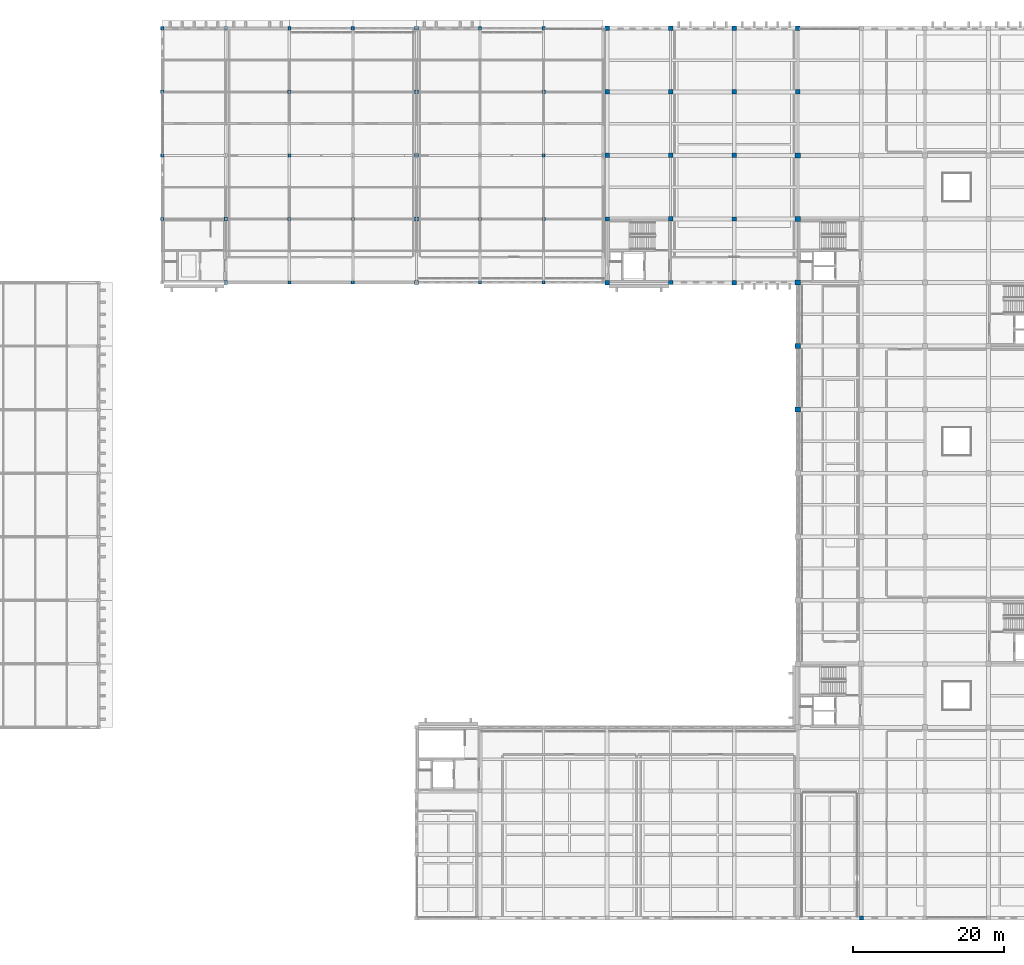
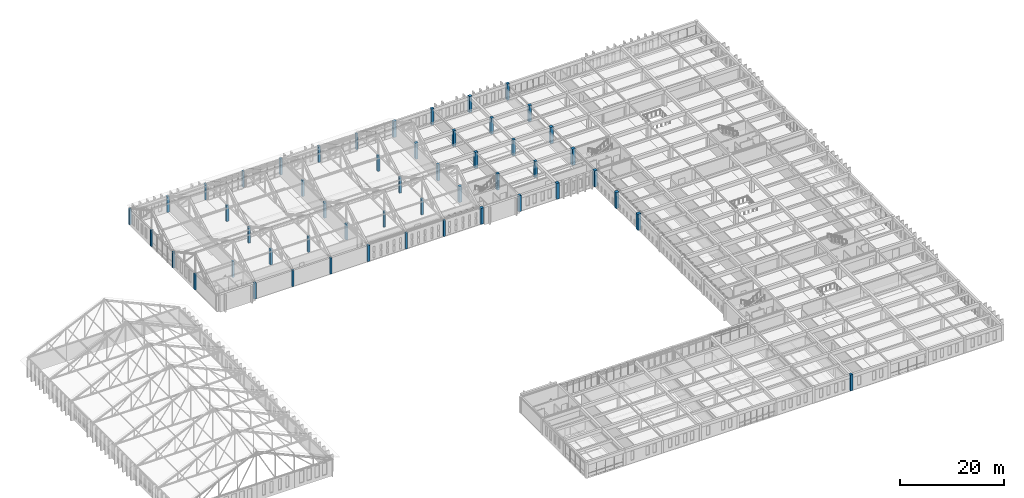
# One storey, part 4 of 110: 51 columns.
"""IFC4 building model written with IfcOpenShell, lengths in metres."""

from ifc_helpers import new_model, si_unit, direction, frame, origin, origin_2d, place, context, subcontext, project, spatial, rectangle, extrude, material, material_profile, profile_set, type_object, element, save


model = new_model("IFC4")

# Units and contexts
model_context = context("Model", 3, precision=1e-05, world=origin(), true_north=direction((0.0, 1.0)))
body_context = subcontext(model_context, "Body", "Model", "MODEL_VIEW")
ifc_project = project(units=[si_unit("LENGTHUNIT", "METRE"), si_unit("AREAUNIT", "SQUARE_METRE"), si_unit("VOLUMEUNIT", "CUBIC_METRE"), si_unit("PLANEANGLEUNIT", "RADIAN"), si_unit("MASSUNIT", "GRAM", prefix="KILO")], contexts=[model_context])

# Site, building, storey
site_placement = place(None, origin())
site = spatial("IfcSite", under=ifc_project, at=site_placement, CompositionType="ELEMENT")
building_placement = place(site_placement, origin())
building = spatial("IfcBuilding", under=site, at=building_placement, Name="Kveldsbrygga Polytechnic", CompositionType="ELEMENT")
storey_placement = place(building_placement, frame((0.0, 0.0, 9.860107421875)))
storey = spatial("IfcBuildingStorey", under=building, at=storey_placement, Name="L02", CompositionType="ELEMENT", Elevation=9.860107421875)

# Columns
ifc_material = material(Name="Concrete C45/55", Category="concrete")
ifc_material_profile_1 = material_profile(ifc_material, rectangle(XDim=0.39990234375, YDim=0.39990234375, at=origin_2d()), Name="RC 400x400")
ifc_profile_set_1 = profile_set([ifc_material_profile_1], Name="Concrete C45/55")
column_type_1 = type_object("IfcColumnType", Name="COL-RC-400", PredefinedType="COLUMN", material=ifc_profile_set_1)
for number, where, z_axis, x_axis, name in (
    (1, (67.199951171875, 92.39990234375, 0.0), (0.0, 0.0, 1.0), (1.0, 0.0, 0.0), "Column COL-L02-08-11"),
    (2, (84.0, 92.39990234375, 0.0), (0.0, 0.0, 1.0), (1.0, 0.0, 0.0), "Column COL-L02-10-11"),
):
    element("IfcColumn", number, at=place(storey_placement, frame(where, z_axis=z_axis, x_axis=x_axis)), inside=storey, type_object=column_type_1, Name=name, PredefinedType="COLUMN", context=body_context, shape_type="SweptSolid", body=[
        extrude(rectangle(XDim=0.39990234375, YDim=0.39990234375, at=origin_2d()), origin(), (0.0, 0.0, 1.0), 3.77978515625),
    ])
ifc_material_profile_2 = material_profile(ifc_material, rectangle(XDim=0.419921875, YDim=0.419921875, at=origin_2d()), Name="RC 420x420")
ifc_profile_set_2 = profile_set([ifc_material_profile_2], Name="Concrete C45/55")
column_type_2 = type_object("IfcColumnType", Name="COL-RC-420", PredefinedType="COLUMN", material=ifc_profile_set_2)
for number, where, z_axis, x_axis, name in (
    (3, (42.0, 100.800048828125, 0.0), (0.0, 0.0, 1.0), (1.0, 0.0, 0.0), "Column COL-L02-05-12"),
    (4, (42.0, 117.60009765625, 0.0), (0.0, 0.0, 1.0), (1.0, 0.0, 0.0), "Column COL-L02-05-14"),
    (5, (58.800048828125, 84.0, 0.0), (0.0, 0.0, 1.0), (1.0, 0.0, 0.0), "Column COL-L02-07-10"),
    (6, (58.800048828125, 100.800048828125, 0.0), (0.0, 0.0, 1.0), (1.0, 0.0, 0.0), "Column COL-L02-07-12"),
    (7, (58.800048828125, 117.60009765625, 0.0), (0.0, 0.0, 1.0), (1.0, 0.0, 0.0), "Column COL-L02-07-14"),
    (8, (92.39990234375, 84.0, 0.0), (0.0, 0.0, 1.0), (1.0, 0.0, 0.0), "Column COL-L02-11-10"),
    (9, (92.39990234375, 100.800048828125, 0.0), (0.0, 0.0, 1.0), (1.0, 0.0, 0.0), "Column COL-L02-11-12"),
    (10, (92.39990234375, 117.60009765625, 0.0), (0.0, 0.0, 1.0), (1.0, 0.0, 0.0), "Column COL-L02-11-14"),
):
    element("IfcColumn", number, at=place(storey_placement, frame(where, z_axis=z_axis, x_axis=x_axis)), inside=storey, type_object=column_type_2, Name=name, PredefinedType="COLUMN", context=body_context, shape_type="SweptSolid", body=[
        extrude(rectangle(XDim=0.419921875, YDim=0.419921875, at=origin_2d()), origin(), (0.0, 0.0, 1.0), 3.77978515625),
    ])
ifc_material_profile_3 = material_profile(ifc_material, rectangle(XDim=0.449951171875, YDim=0.449951171875, at=origin_2d()), Name="RC 450x450")
ifc_profile_set_3 = profile_set([ifc_material_profile_3], Name="Concrete C45/55")
column_type_3 = type_object("IfcColumnType", Name="COL-RC-450", PredefinedType="COLUMN", material=ifc_profile_set_3)
for number, where, z_axis, x_axis, name in (
    (11, (42.0, 92.39990234375, 0.0), (0.0, 0.0, 1.0), (1.0, 0.0, 0.0), "Column COL-L02-05-11"),
    (12, (42.0, 109.199951171875, 0.0), (0.0, 0.0, 1.0), (1.0, 0.0, 0.0), "Column COL-L02-05-13"),
    (13, (58.800048828125, 92.39990234375, 0.0), (0.0, 0.0, 1.0), (1.0, 0.0, 0.0), "Column COL-L02-07-11"),
    (14, (58.800048828125, 109.199951171875, 0.0), (0.0, 0.0, 1.0), (1.0, 0.0, 0.0), "Column COL-L02-07-13"),
    (15, (67.199951171875, 84.0, 0.0), (0.0, 0.0, 1.0), (1.0, 0.0, 0.0), "Column COL-L02-08-10"),
    (16, (67.199951171875, 117.60009765625, 0.0), (0.0, 0.0, 1.0), (1.0, 0.0, 0.0), "Column COL-L02-08-14"),
    (17, (84.0, 84.0, 0.0), (0.0, 0.0, 1.0), (1.0, 0.0, 0.0), "Column COL-L02-10-10"),
    (18, (84.0, 117.60009765625, 0.0), (0.0, 0.0, 1.0), (1.0, 0.0, 0.0), "Column COL-L02-10-14"),
    (19, (92.39990234375, 92.39990234375, 0.0), (0.0, 0.0, 1.0), (1.0, 0.0, 0.0), "Column COL-L02-11-11"),
    (20, (92.39990234375, 109.199951171875, 0.0), (0.0, 0.0, 1.0), (1.0, 0.0, 0.0), "Column COL-L02-11-13"),
):
    element("IfcColumn", number, at=place(storey_placement, frame(where, z_axis=z_axis, x_axis=x_axis)), inside=storey, type_object=column_type_3, Name=name, PredefinedType="COLUMN", context=body_context, shape_type="SweptSolid", body=[
        extrude(rectangle(XDim=0.449951171875, YDim=0.449951171875, at=origin_2d()), origin(), (0.0, 0.0, 1.0), 3.77978515625),
    ])
ifc_material_profile_4 = material_profile(ifc_material, rectangle(XDim=0.47998046875, YDim=0.47998046875, at=origin_2d()), Name="RC 480x480")
ifc_profile_set_4 = profile_set([ifc_material_profile_4], Name="Concrete C45/55")
column_type_4 = type_object("IfcColumnType", Name="COL-RC-480", PredefinedType="COLUMN", material=ifc_profile_set_4)
for number, where, z_axis, x_axis, name in (
    (21, (50.39990234375, 84.0, 0.0), (0.0, 0.0, 1.0), (1.0, 0.0, 0.0), "Column COL-L02-06-10"),
    (22, (50.39990234375, 92.39990234375, 0.0), (0.0, 0.0, 1.0), (1.0, 0.0, 0.0), "Column COL-L02-06-11"),
    (23, (50.39990234375, 117.60009765625, 0.0), (0.0, 0.0, 1.0), (1.0, 0.0, 0.0), "Column COL-L02-06-14"),
    (24, (75.60009765625, 84.0, 0.0), (0.0, 0.0, 1.0), (1.0, 0.0, 0.0), "Column COL-L02-09-10"),
    (25, (75.60009765625, 92.39990234375, 0.0), (0.0, 0.0, 1.0), (1.0, 0.0, 0.0), "Column COL-L02-09-11"),
    (26, (75.60009765625, 100.800048828125, 0.0), (0.0, 0.0, 1.0), (1.0, 0.0, 0.0), "Column COL-L02-09-12"),
    (27, (75.60009765625, 109.199951171875, 0.0), (0.0, 0.0, 1.0), (1.0, 0.0, 0.0), "Column COL-L02-09-13"),
    (28, (75.60009765625, 117.60009765625, 0.0), (0.0, 0.0, 1.0), (1.0, 0.0, 0.0), "Column COL-L02-09-14"),
):
    element("IfcColumn", number, at=place(storey_placement, frame(where, z_axis=z_axis, x_axis=x_axis)), inside=storey, type_object=column_type_4, Name=name, PredefinedType="COLUMN", context=body_context, shape_type="SweptSolid", body=[
        extrude(rectangle(XDim=0.47998046875, YDim=0.47998046875, at=origin_2d()), origin(), (0.0, 0.0, 1.0), 3.77978515625),
    ])
ifc_material_profile_5 = material_profile(ifc_material, rectangle(XDim=0.550048828125, YDim=0.550048828125, at=origin_2d()), Name="RC 550x550")
ifc_profile_set_5 = profile_set([ifc_material_profile_5], Name="Concrete C45/55")
column_type_5 = type_object("IfcColumnType", Name="COL-RC-550", PredefinedType="COLUMN", material=ifc_profile_set_5)
column_placement = place(storey_placement, frame((134.39990234375, 0.0, 0.0), z_axis=(0.0, 0.0, 1.0), x_axis=(1.0, 0.0, 0.0)))
element("IfcColumn", 29, at=column_placement, inside=storey, type_object=column_type_5, Name="Column COL-L02-16-00", PredefinedType="COLUMN", context=body_context, shape_type="SweptSolid", body=[
    extrude(rectangle(XDim=0.550048828125, YDim=0.550048828125, at=origin_2d()), origin(), (0.0, 0.0, 1.0), 3.77978515625),
])
ifc_material_profile_6 = material_profile(ifc_material, rectangle(XDim=0.580078125, YDim=0.580078125, at=origin_2d()), Name="RC 580x580")
ifc_profile_set_6 = profile_set([ifc_material_profile_6], Name="Concrete C45/55")
column_type_6 = type_object("IfcColumnType", Name="COL-RC-580", PredefinedType="COLUMN", material=ifc_profile_set_6)
for number, where, z_axis, x_axis, name in (
    (30, (100.800048828125, 92.39990234375, 0.0), (0.0, 0.0, 1.0), (1.0, 0.0, 0.0), "Column COL-L02-12-11"),
    (31, (100.800048828125, 109.199951171875, 0.0), (0.0, 0.0, 1.0), (1.0, 0.0, 0.0), "Column COL-L02-12-13"),
    (32, (109.199951171875, 84.0, 0.0), (0.0, 0.0, 1.0), (1.0, 0.0, 0.0), "Column COL-L02-13-10"),
    (33, (109.199951171875, 100.800048828125, 0.0), (0.0, 0.0, 1.0), (1.0, 0.0, 0.0), "Column COL-L02-13-12"),
    (34, (109.199951171875, 117.60009765625, 0.0), (0.0, 0.0, 1.0), (1.0, 0.0, 0.0), "Column COL-L02-13-14"),
    (35, (117.60009765625, 92.39990234375, 0.0), (0.0, 0.0, 1.0), (1.0, 0.0, 0.0), "Column COL-L02-14-11"),
    (36, (117.60009765625, 109.199951171875, 0.0), (0.0, 0.0, 1.0), (1.0, 0.0, 0.0), "Column COL-L02-14-13"),
    (37, (126.0, 117.60009765625, 0.0), (0.0, 0.0, 1.0), (1.0, 0.0, 0.0), "Column COL-L02-15-14"),
):
    element("IfcColumn", number, at=place(storey_placement, frame(where, z_axis=z_axis, x_axis=x_axis)), inside=storey, type_object=column_type_6, Name=name, PredefinedType="COLUMN", context=body_context, shape_type="SweptSolid", body=[
        extrude(rectangle(XDim=0.580078125, YDim=0.580078125, at=origin_2d()), origin(), (0.0, 0.0, 1.0), 3.77978515625),
    ])
ifc_material_profile_7 = material_profile(ifc_material, rectangle(XDim=0.60009765625, YDim=0.60009765625, at=origin_2d()), Name="RC 600x600")
ifc_profile_set_7 = profile_set([ifc_material_profile_7], Name="Concrete C45/55")
column_type_7 = type_object("IfcColumnType", Name="COL-RC-600", PredefinedType="COLUMN", material=ifc_profile_set_7)
for number, where, z_axis, x_axis, name in (
    (38, (100.800048828125, 84.0, 0.0), (0.0, 0.0, 1.0), (1.0, 0.0, 0.0), "Column COL-L02-12-10"),
    (39, (100.800048828125, 100.800048828125, 0.0), (0.0, 0.0, 1.0), (1.0, 0.0, 0.0), "Column COL-L02-12-12"),
    (40, (100.800048828125, 117.60009765625, 0.0), (0.0, 0.0, 1.0), (1.0, 0.0, 0.0), "Column COL-L02-12-14"),
    (41, (109.199951171875, 92.39990234375, 0.0), (0.0, 0.0, 1.0), (1.0, 0.0, 0.0), "Column COL-L02-13-11"),
    (42, (109.199951171875, 109.199951171875, 0.0), (0.0, 0.0, 1.0), (1.0, 0.0, 0.0), "Column COL-L02-13-13"),
    (43, (117.60009765625, 84.0, 0.0), (0.0, 0.0, 1.0), (1.0, 0.0, 0.0), "Column COL-L02-14-10"),
    (44, (117.60009765625, 100.800048828125, 0.0), (0.0, 0.0, 1.0), (1.0, 0.0, 0.0), "Column COL-L02-14-12"),
    (45, (117.60009765625, 117.60009765625, 0.0), (0.0, 0.0, 1.0), (1.0, 0.0, 0.0), "Column COL-L02-14-14"),
    (46, (126.0, 109.199951171875, 0.0), (0.0, 0.0, 1.0), (1.0, 0.0, 0.0), "Column COL-L02-15-13"),
):
    element("IfcColumn", number, at=place(storey_placement, frame(where, z_axis=z_axis, x_axis=x_axis)), inside=storey, type_object=column_type_7, Name=name, PredefinedType="COLUMN", context=body_context, shape_type="SweptSolid", body=[
        extrude(rectangle(XDim=0.60009765625, YDim=0.60009765625, at=origin_2d()), origin(), (0.0, 0.0, 1.0), 3.77978515625),
    ])
ifc_material_profile_8 = material_profile(ifc_material, rectangle(XDim=0.679931640625, YDim=0.679931640625, at=origin_2d()), Name="RC 680x680")
ifc_profile_set_8 = profile_set([ifc_material_profile_8], Name="Concrete C45/55")
column_type_8 = type_object("IfcColumnType", Name="COL-RC-680", PredefinedType="COLUMN", material=ifc_profile_set_8)
for number, where, z_axis, x_axis, name in (
    (47, (126.0, 67.199951171875, 0.0), (0.0, 0.0, 1.0), (1.0, 0.0, 0.0), "Column COL-L02-15-08"),
    (48, (126.0, 84.0, 0.0), (0.0, 0.0, 1.0), (1.0, 0.0, 0.0), "Column COL-L02-15-10"),
    (49, (126.0, 100.800048828125, 0.0), (0.0, 0.0, 1.0), (1.0, 0.0, 0.0), "Column COL-L02-15-12"),
):
    element("IfcColumn", number, at=place(storey_placement, frame(where, z_axis=z_axis, x_axis=x_axis)), inside=storey, type_object=column_type_8, Name=name, PredefinedType="COLUMN", context=body_context, shape_type="SweptSolid", body=[
        extrude(rectangle(XDim=0.679931640625, YDim=0.679931640625, at=origin_2d()), origin(), (0.0, 0.0, 1.0), 3.77978515625),
    ])
ifc_material_profile_9 = material_profile(ifc_material, rectangle(XDim=0.699951171875, YDim=0.699951171875, at=origin_2d()), Name="RC 700x700")
ifc_profile_set_9 = profile_set([ifc_material_profile_9], Name="Concrete C45/55")
column_type_9 = type_object("IfcColumnType", Name="COL-RC-700", PredefinedType="COLUMN", material=ifc_profile_set_9)
for number, where, z_axis, x_axis, name in (
    (50, (126.0, 75.60009765625, 0.0), (0.0, 0.0, 1.0), (1.0, 0.0, 0.0), "Column COL-L02-15-09"),
    (51, (126.0, 92.39990234375, 0.0), (0.0, 0.0, 1.0), (1.0, 0.0, 0.0), "Column COL-L02-15-11"),
):
    element("IfcColumn", number, at=place(storey_placement, frame(where, z_axis=z_axis, x_axis=x_axis)), inside=storey, type_object=column_type_9, Name=name, PredefinedType="COLUMN", context=body_context, shape_type="SweptSolid", body=[
        extrude(rectangle(XDim=0.699951171875, YDim=0.699951171875, at=origin_2d()), origin(), (0.0, 0.0, 1.0), 3.77978515625),
    ])

save(model, "model.ifc")
